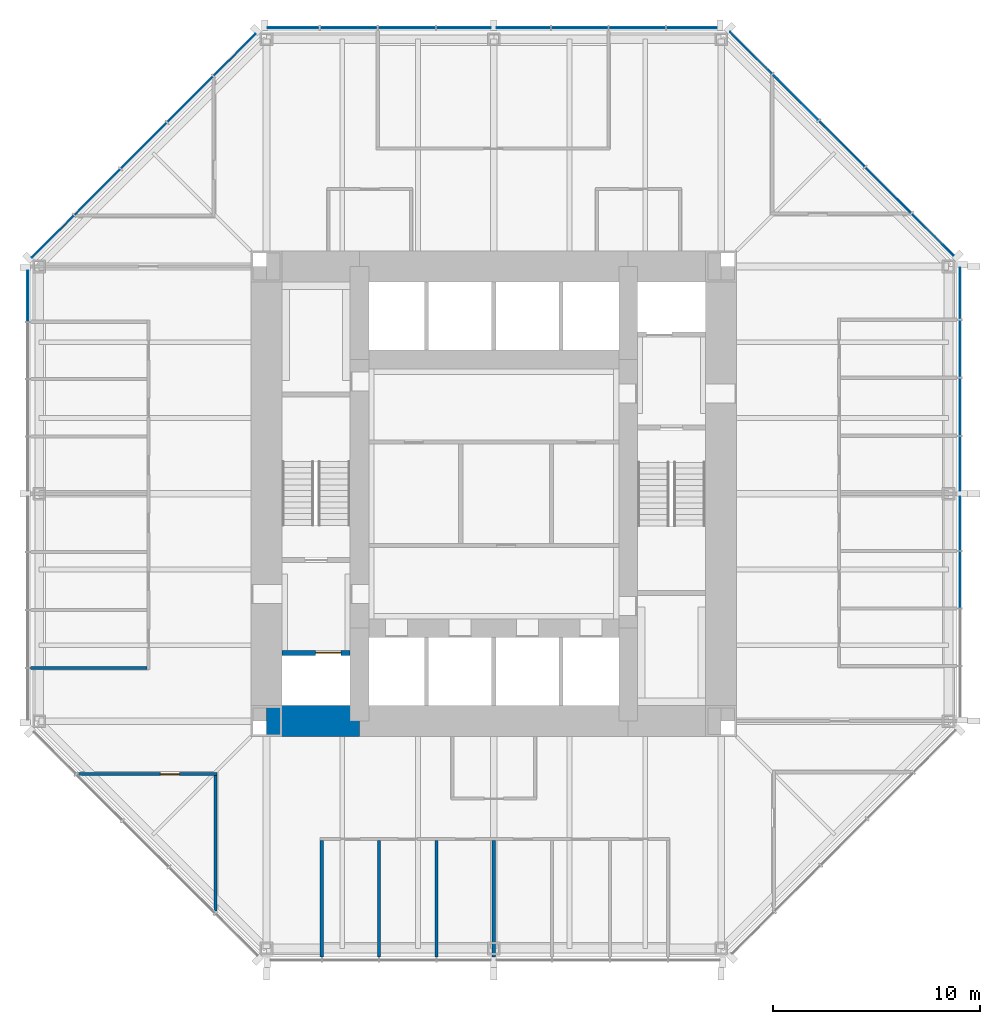
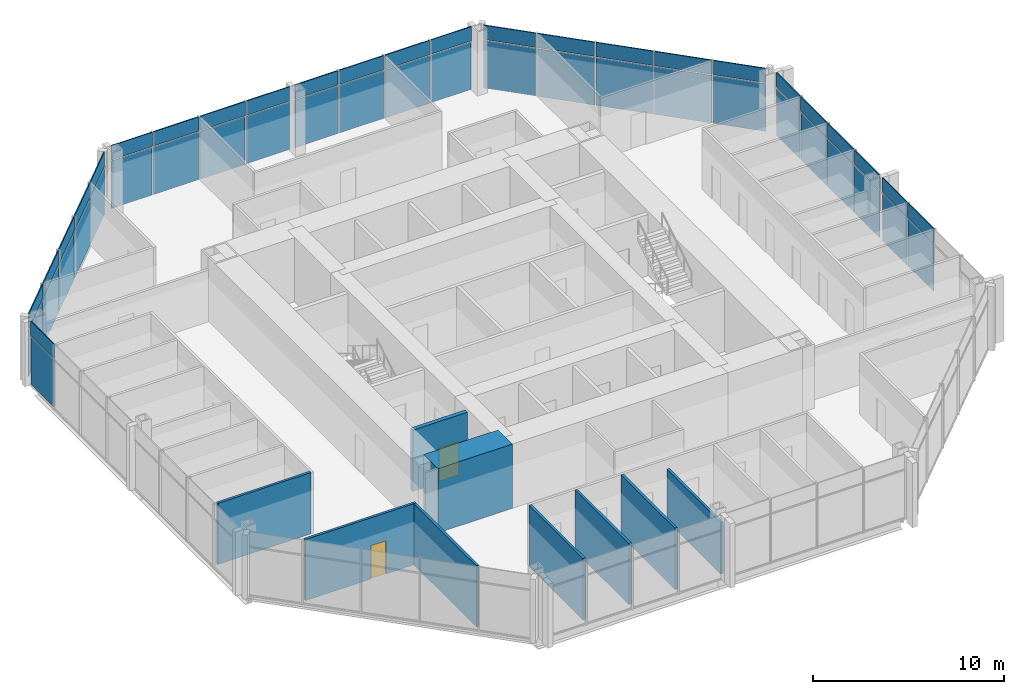
# One storey, part 8 of 12: 50 plates, 9 walls, 2 doors, 2 openings, 5 elements without a shape of their own.
"""IFC4 building model written with IfcOpenShell, lengths in metres."""

from ifc_helpers import new_model, si_unit, direction, frame, frame_2d, origin, origin_2d, place, context, subcontext, project, spatial, rectangle, extrude, material, layer, layer_set, type_object, element, fill, aggregate, save


model = new_model("IFC4")

# Units and contexts
model_context = context("Model", 3, precision=1e-05, world=origin(), true_north=direction((0.0, 1.0)))
body_context = subcontext(model_context, "Body", "Model", "MODEL_VIEW")
ifc_project = project(units=[si_unit("LENGTHUNIT", "METRE"), si_unit("AREAUNIT", "SQUARE_METRE"), si_unit("VOLUMEUNIT", "CUBIC_METRE"), si_unit("PLANEANGLEUNIT", "RADIAN"), si_unit("MASSUNIT", "GRAM", prefix="KILO")], contexts=[model_context])

# Site, building, storey
site_placement = place(None, origin())
site = spatial("IfcSite", under=ifc_project, at=site_placement, CompositionType="ELEMENT")
building_placement = place(site_placement, origin())
building = spatial("IfcBuilding", under=site, at=building_placement, Name="Trevanion Tower", CompositionType="ELEMENT")
storey_placement = place(building_placement, frame((0.0, 0.0, 174.60009765625)))
storey = spatial("IfcBuildingStorey", under=building, at=storey_placement, Name="L41", CompositionType="ELEMENT", Elevation=174.60009765625)

# Curtain wall, plates
ifc_material_1 = material(Name="Aluminium and glass", Category="aluminium")
curtain_wall_type = type_object("IfcCurtainWallType", Name="CW2 curtain wall", PredefinedType="USERDEFINED", material=ifc_material_1)
curtain_wall_1_placement = place(storey_placement, origin())
curtain_wall_1 = element("IfcCurtainWall", 1, at=curtain_wall_1_placement, inside=storey, type_object=curtain_wall_type, Name="CW2 L41 0", ObjectType="UNITISED CURTAIN WALL", PredefinedType="USERDEFINED")
ifc_material_2 = material(Name="Aluminium spandrel panel", Category="aluminium")
ifc_layer_1 = layer(ifc_material_2, 0.06005859375)
ifc_layer_set_1 = layer_set([ifc_layer_1], Name="CW2 spandrel panel")
plate_type_1 = type_object("IfcPlateType", Name="CW2 spandrel panel", PredefinedType="CURTAIN_PANEL", material=ifc_layer_set_1)
plate_1_placement = place(storey_placement, frame((22.550048828125, -4.16162109375, 2.997314453125), z_axis=(0.0, 0.0, 1.0), x_axis=(0.0, 1.0, 0.0)))
plate_1 = element("IfcPlate", 2, at=plate_1_placement, type_object=plate_type_1, Name="CW2 panel 3.2", PredefinedType="CURTAIN_PANEL", context=body_context, shape_type="SweptSolid", body=[
    extrude(rectangle(XDim=2.699462890625, YDim=0.06005859375, at=origin_2d()), origin(), (0.0, 0.0, 1.0), 0.91259765625),
])
plate_2_placement = place(storey_placement, frame((22.550048828125, -1.443603515625, 2.997314453125), z_axis=(0.0, 0.0, 1.0), x_axis=(0.0, 1.0, 0.0)))
plate_2 = element("IfcPlate", 3, at=plate_2_placement, type_object=plate_type_1, Name="CW2 panel 4.2", PredefinedType="CURTAIN_PANEL", context=body_context, shape_type="SweptSolid", body=[
    extrude(rectangle(XDim=2.5869140625, YDim=0.06005859375, at=origin_2d()), origin(), (0.0, 0.0, 1.0), 0.91259765625),
])
plate_3_placement = place(storey_placement, frame((22.550048828125, 1.459716796875, 2.997314453125), z_axis=(0.0, 0.0, 1.0), x_axis=(0.0, 1.0, 0.0)))
plate_3 = element("IfcPlate", 4, at=plate_3_placement, type_object=plate_type_1, Name="CW2 panel 5.2", PredefinedType="CURTAIN_PANEL", context=body_context, shape_type="SweptSolid", body=[
    extrude(rectangle(XDim=2.619384765625, YDim=0.06005859375, at=origin_2d()), origin(), (0.0, 0.0, 1.0), 0.91259765625),
])
plate_4_placement = place(storey_placement, frame((22.550048828125, 4.21044921875, 2.997314453125), z_axis=(0.0, 0.0, 1.0), x_axis=(0.0, 1.0, 0.0)))
plate_4 = element("IfcPlate", 5, at=plate_4_placement, type_object=plate_type_1, Name="CW2 panel 6.2", PredefinedType="CURTAIN_PANEL", context=body_context, shape_type="SweptSolid", body=[
    extrude(rectangle(XDim=2.73193359375, YDim=0.06005859375, at=origin_2d()), origin(), (0.0, 0.0, 1.0), 0.91259765625),
])
plate_5_placement = place(storey_placement, frame((22.550048828125, 7.017333984375, 2.997314453125), z_axis=(0.0, 0.0, 1.0), x_axis=(0.0, 1.0, 0.0)))
plate_5 = element("IfcPlate", 6, at=plate_5_placement, type_object=plate_type_1, Name="CW2 panel 7.2", PredefinedType="CURTAIN_PANEL", context=body_context, shape_type="SweptSolid", body=[
    extrude(rectangle(XDim=2.73193359375, YDim=0.06005859375, at=origin_2d()), origin(), (0.0, 0.0, 1.0), 0.91259765625),
])
plate_6_placement = place(storey_placement, frame((22.550048828125, 9.693115234375, 2.997314453125), z_axis=(0.0, 0.0, 1.0), x_axis=(0.0, 1.0, 0.0)))
plate_6 = element("IfcPlate", 7, at=plate_6_placement, type_object=plate_type_1, Name="CW2 panel 8.2", PredefinedType="CURTAIN_PANEL", context=body_context, shape_type="SweptSolid", body=[
    extrude(rectangle(XDim=2.469482421875, YDim=0.06005859375, at=origin_2d()), origin(), (0.0, 0.0, 1.0), 0.91259765625),
])

curtain_wall_2_placement = place(storey_placement, origin())
curtain_wall_2 = element("IfcCurtainWall", 8, at=curtain_wall_2_placement, inside=storey, type_object=curtain_wall_type, Name="CW2 L41 1", ObjectType="UNITISED CURTAIN WALL", PredefinedType="USERDEFINED")
plate_7_placement = place(storey_placement, frame((21.2421875, 12.53564453125, 2.997314453125), z_axis=(0.0, 0.0, 1.0), x_axis=(-0.707106781187, 0.707106781187, 0.0)))
plate_7 = element("IfcPlate", 9, at=plate_7_placement, type_object=plate_type_1, Name="CW2 panel 1.2", PredefinedType="CURTAIN_PANEL", context=body_context, shape_type="SweptSolid", body=[
    extrude(rectangle(XDim=2.8388671875, YDim=0.06005859375, at=origin_2d()), origin(), (0.0, 0.0, 1.0), 0.91259765625),
])
plate_8_placement = place(storey_placement, frame((19.089111328125, 14.688720703125, 2.997314453125), z_axis=(0.0, 0.0, 1.0), x_axis=(-0.707106781187, 0.707106781187, 0.0)))
plate_8 = element("IfcPlate", 10, at=plate_8_placement, type_object=plate_type_1, Name="CW2 panel 2.2", PredefinedType="CURTAIN_PANEL", context=body_context, shape_type="SweptSolid", body=[
    extrude(rectangle(XDim=3.101318359375, YDim=0.06005859375, at=origin_2d()), origin(), (0.0, 0.0, 1.0), 0.91259765625),
])
plate_9_placement = place(storey_placement, frame((16.843017578125, 16.934814453125, 2.997314453125), z_axis=(0.0, 0.0, 1.0), x_axis=(-0.707106781187, 0.707106781187, 0.0)))
plate_9 = element("IfcPlate", 11, at=plate_9_placement, type_object=plate_type_1, Name="CW2 panel 3.2", PredefinedType="CURTAIN_PANEL", context=body_context, shape_type="SweptSolid", body=[
    extrude(rectangle(XDim=3.101318359375, YDim=0.06005859375, at=origin_2d()), origin(), (0.0, 0.0, 1.0), 0.91259765625),
])
plate_10_placement = place(storey_placement, frame((14.596923828125, 19.180908203125, 2.997314453125), z_axis=(0.0, 0.0, 1.0), x_axis=(-0.707106781187, 0.707106781187, 0.0)))
plate_10 = element("IfcPlate", 12, at=plate_10_placement, type_object=plate_type_1, Name="CW2 panel 4.2", PredefinedType="CURTAIN_PANEL", context=body_context, shape_type="SweptSolid", body=[
    extrude(rectangle(XDim=3.101318359375, YDim=0.06005859375, at=origin_2d()), origin(), (0.0, 0.0, 1.0), 0.91259765625),
])
plate_11_placement = place(storey_placement, frame((12.443603515625, 21.334228515625, 2.997314453125), z_axis=(0.0, 0.0, 1.0), x_axis=(-0.707106781187, 0.707106781187, 0.0)))
plate_11 = element("IfcPlate", 13, at=plate_11_placement, type_object=plate_type_1, Name="CW2 panel 5.2", PredefinedType="CURTAIN_PANEL", context=body_context, shape_type="SweptSolid", body=[
    extrude(rectangle(XDim=2.8388671875, YDim=0.06005859375, at=origin_2d()), origin(), (0.0, 0.0, 1.0), 0.91259765625),
])

curtain_wall_3_placement = place(storey_placement, origin())
curtain_wall_3 = element("IfcCurtainWall", 14, at=curtain_wall_3_placement, inside=storey, type_object=curtain_wall_type, Name="CW2 L41 2", ObjectType="UNITISED CURTAIN WALL", PredefinedType="USERDEFINED")
plate_12_placement = place(storey_placement, frame((9.579345703125, 22.550048828125, 2.997314453125), z_axis=(0.0, 0.0, 1.0), x_axis=(-1.0, 0.0, 0.0)))
plate_12 = element("IfcPlate", 15, at=plate_12_placement, type_object=plate_type_1, Name="CW2 panel 1.2", PredefinedType="CURTAIN_PANEL", context=body_context, shape_type="SweptSolid", body=[
    extrude(rectangle(XDim=2.43701171875, YDim=0.06005859375, at=origin_2d()), origin(), (0.0, 0.0, 1.0), 0.91259765625),
])
plate_13_placement = place(storey_placement, frame((6.93603515625, 22.550048828125, 2.997314453125), z_axis=(0.0, 0.0, 1.0), x_axis=(-1.0, 0.0, 0.0)))
plate_13 = element("IfcPlate", 16, at=plate_13_placement, type_object=plate_type_1, Name="CW2 panel 2.2", PredefinedType="CURTAIN_PANEL", context=body_context, shape_type="SweptSolid", body=[
    extrude(rectangle(XDim=2.699462890625, YDim=0.06005859375, at=origin_2d()), origin(), (0.0, 0.0, 1.0), 0.91259765625),
])
plate_14_placement = place(storey_placement, frame((4.16162109375, 22.550048828125, 2.997314453125), z_axis=(0.0, 0.0, 1.0), x_axis=(-1.0, 0.0, 0.0)))
plate_14 = element("IfcPlate", 17, at=plate_14_placement, type_object=plate_type_1, Name="CW2 panel 3.2", PredefinedType="CURTAIN_PANEL", context=body_context, shape_type="SweptSolid", body=[
    extrude(rectangle(XDim=2.699462890625, YDim=0.06005859375, at=origin_2d()), origin(), (0.0, 0.0, 1.0), 0.91259765625),
])
plate_15_placement = place(storey_placement, frame((1.443603515625, 22.550048828125, 2.997314453125), z_axis=(0.0, 0.0, 1.0), x_axis=(-1.0, 0.0, 0.0)))
plate_15 = element("IfcPlate", 18, at=plate_15_placement, type_object=plate_type_1, Name="CW2 panel 4.2", PredefinedType="CURTAIN_PANEL", context=body_context, shape_type="SweptSolid", body=[
    extrude(rectangle(XDim=2.5869140625, YDim=0.06005859375, at=origin_2d()), origin(), (0.0, 0.0, 1.0), 0.91259765625),
])
plate_16_placement = place(storey_placement, frame((-1.459716796875, 22.550048828125, 2.997314453125), z_axis=(0.0, 0.0, 1.0), x_axis=(-1.0, 0.0, 0.0)))
plate_16 = element("IfcPlate", 19, at=plate_16_placement, type_object=plate_type_1, Name="CW2 panel 5.2", PredefinedType="CURTAIN_PANEL", context=body_context, shape_type="SweptSolid", body=[
    extrude(rectangle(XDim=2.619384765625, YDim=0.06005859375, at=origin_2d()), origin(), (0.0, 0.0, 1.0), 0.91259765625),
])
plate_17_placement = place(storey_placement, frame((-4.21044921875, 22.550048828125, 2.997314453125), z_axis=(0.0, 0.0, 1.0), x_axis=(-1.0, 0.0, 0.0)))
plate_17 = element("IfcPlate", 20, at=plate_17_placement, type_object=plate_type_1, Name="CW2 panel 6.2", PredefinedType="CURTAIN_PANEL", context=body_context, shape_type="SweptSolid", body=[
    extrude(rectangle(XDim=2.73193359375, YDim=0.06005859375, at=origin_2d()), origin(), (0.0, 0.0, 1.0), 0.91259765625),
])
plate_18_placement = place(storey_placement, frame((-7.017333984375, 22.550048828125, 2.997314453125), z_axis=(0.0, 0.0, 1.0), x_axis=(-1.0, 0.0, 0.0)))
plate_18 = element("IfcPlate", 21, at=plate_18_placement, type_object=plate_type_1, Name="CW2 panel 7.2", PredefinedType="CURTAIN_PANEL", context=body_context, shape_type="SweptSolid", body=[
    extrude(rectangle(XDim=2.73193359375, YDim=0.06005859375, at=origin_2d()), origin(), (0.0, 0.0, 1.0), 0.91259765625),
])
plate_19_placement = place(storey_placement, frame((-9.693115234375, 22.550048828125, 2.997314453125), z_axis=(0.0, 0.0, 1.0), x_axis=(-1.0, 0.0, 0.0)))
plate_19 = element("IfcPlate", 22, at=plate_19_placement, type_object=plate_type_1, Name="CW2 panel 8.2", PredefinedType="CURTAIN_PANEL", context=body_context, shape_type="SweptSolid", body=[
    extrude(rectangle(XDim=2.469482421875, YDim=0.06005859375, at=origin_2d()), origin(), (0.0, 0.0, 1.0), 0.91259765625),
])

curtain_wall_4_placement = place(storey_placement, origin())
curtain_wall_4 = element("IfcCurtainWall", 23, at=curtain_wall_4_placement, inside=storey, type_object=curtain_wall_type, Name="CW2 L41 3", ObjectType="UNITISED CURTAIN WALL", PredefinedType="USERDEFINED")
plate_20_placement = place(storey_placement, frame((-12.53564453125, 21.2421875, 2.997314453125), z_axis=(0.0, 0.0, 1.0), x_axis=(-0.707106781187, -0.707106781187, 0.0)))
plate_20 = element("IfcPlate", 24, at=plate_20_placement, type_object=plate_type_1, Name="CW2 panel 1.2", PredefinedType="CURTAIN_PANEL", context=body_context, shape_type="SweptSolid", body=[
    extrude(rectangle(XDim=2.8388671875, YDim=0.06005859375, at=origin_2d()), origin(), (0.0, 0.0, 1.0), 0.91259765625),
])
plate_21_placement = place(storey_placement, frame((-14.688720703125, 19.089111328125, 2.997314453125), z_axis=(0.0, 0.0, 1.0), x_axis=(-0.707106781187, -0.707106781187, 0.0)))
plate_21 = element("IfcPlate", 25, at=plate_21_placement, type_object=plate_type_1, Name="CW2 panel 2.2", PredefinedType="CURTAIN_PANEL", context=body_context, shape_type="SweptSolid", body=[
    extrude(rectangle(XDim=3.101318359375, YDim=0.06005859375, at=origin_2d()), origin(), (0.0, 0.0, 1.0), 0.91259765625),
])
plate_22_placement = place(storey_placement, frame((-16.934814453125, 16.843017578125, 2.997314453125), z_axis=(0.0, 0.0, 1.0), x_axis=(-0.707106781187, -0.707106781187, 0.0)))
plate_22 = element("IfcPlate", 26, at=plate_22_placement, type_object=plate_type_1, Name="CW2 panel 3.2", PredefinedType="CURTAIN_PANEL", context=body_context, shape_type="SweptSolid", body=[
    extrude(rectangle(XDim=3.101318359375, YDim=0.06005859375, at=origin_2d()), origin(), (0.0, 0.0, 1.0), 0.91259765625),
])
plate_23_placement = place(storey_placement, frame((-19.180908203125, 14.596923828125, 2.997314453125), z_axis=(0.0, 0.0, 1.0), x_axis=(-0.707106781187, -0.707106781187, 0.0)))
plate_23 = element("IfcPlate", 27, at=plate_23_placement, type_object=plate_type_1, Name="CW2 panel 4.2", PredefinedType="CURTAIN_PANEL", context=body_context, shape_type="SweptSolid", body=[
    extrude(rectangle(XDim=3.101318359375, YDim=0.06005859375, at=origin_2d()), origin(), (0.0, 0.0, 1.0), 0.91259765625),
])
plate_24_placement = place(storey_placement, frame((-21.334228515625, 12.443603515625, 2.997314453125), z_axis=(0.0, 0.0, 1.0), x_axis=(-0.707106781187, -0.707106781187, 0.0)))
plate_24 = element("IfcPlate", 28, at=plate_24_placement, type_object=plate_type_1, Name="CW2 panel 5.2", PredefinedType="CURTAIN_PANEL", context=body_context, shape_type="SweptSolid", body=[
    extrude(rectangle(XDim=2.8388671875, YDim=0.06005859375, at=origin_2d()), origin(), (0.0, 0.0, 1.0), 0.91259765625),
])

# Curtain wall, plate
curtain_wall_5_placement = place(storey_placement, origin())
curtain_wall_5 = element("IfcCurtainWall", 29, at=curtain_wall_5_placement, inside=storey, type_object=curtain_wall_type, Name="CW2 L41 4", ObjectType="UNITISED CURTAIN WALL", PredefinedType="USERDEFINED")
plate_25_placement = place(storey_placement, frame((-22.550048828125, 9.579345703125, 2.997314453125), z_axis=(0.0, 0.0, 1.0), x_axis=(0.0, -1.0, 0.0)))
plate_25 = element("IfcPlate", 30, at=plate_25_placement, type_object=plate_type_1, Name="CW2 panel 1.2", PredefinedType="CURTAIN_PANEL", context=body_context, shape_type="SweptSolid", body=[
    extrude(rectangle(XDim=2.43701171875, YDim=0.06005859375, at=origin_2d()), origin(), (0.0, 0.0, 1.0), 0.91259765625),
])

# Plate
ifc_material_3 = material(Name="Insulating glass unit", Category="glass")
ifc_layer_2 = layer(ifc_material_3, 0.028076171875)
ifc_layer_set_2 = layer_set([ifc_layer_2], Name="CW2 vision panel")
plate_type_2 = type_object("IfcPlateType", Name="CW2 vision panel", PredefinedType="CURTAIN_PANEL", material=ifc_layer_set_2)
plate_26_placement = place(storey_placement, frame((22.550048828125, -4.16162109375, -0.115234375), z_axis=(0.0, 0.0, 1.0), x_axis=(0.0, 1.0, 0.0)))
plate_26 = element("IfcPlate", 31, at=plate_26_placement, type_object=plate_type_2, Name="CW2 panel 3.1", PredefinedType="CURTAIN_PANEL", context=body_context, shape_type="SweptSolid", body=[
    extrude(rectangle(XDim=2.699462890625, YDim=0.028076171875, at=origin_2d()), origin(), (0.0, 0.0, 1.0), 3.03759765625),
])

plate_27_placement = place(storey_placement, frame((22.550048828125, -1.443603515625, -0.115234375), z_axis=(0.0, 0.0, 1.0), x_axis=(0.0, 1.0, 0.0)))
plate_27 = element("IfcPlate", 32, at=plate_27_placement, type_object=plate_type_2, Name="CW2 panel 4.1", PredefinedType="CURTAIN_PANEL", context=body_context, shape_type="SweptSolid", body=[
    extrude(rectangle(XDim=2.5869140625, YDim=0.028076171875, at=origin_2d()), origin(), (0.0, 0.0, 1.0), 3.03759765625),
])

plate_28_placement = place(storey_placement, frame((22.550048828125, 1.459716796875, -0.115234375), z_axis=(0.0, 0.0, 1.0), x_axis=(0.0, 1.0, 0.0)))
plate_28 = element("IfcPlate", 33, at=plate_28_placement, type_object=plate_type_2, Name="CW2 panel 5.1", PredefinedType="CURTAIN_PANEL", context=body_context, shape_type="SweptSolid", body=[
    extrude(rectangle(XDim=2.619384765625, YDim=0.028076171875, at=origin_2d()), origin(), (0.0, 0.0, 1.0), 3.03759765625),
])

plate_29_placement = place(storey_placement, frame((22.550048828125, 4.21044921875, -0.115234375), z_axis=(0.0, 0.0, 1.0), x_axis=(0.0, 1.0, 0.0)))
plate_29 = element("IfcPlate", 34, at=plate_29_placement, type_object=plate_type_2, Name="CW2 panel 6.1", PredefinedType="CURTAIN_PANEL", context=body_context, shape_type="SweptSolid", body=[
    extrude(rectangle(XDim=2.73193359375, YDim=0.028076171875, at=origin_2d()), origin(), (0.0, 0.0, 1.0), 3.03759765625),
])

plate_30_placement = place(storey_placement, frame((22.550048828125, 7.017333984375, -0.115234375), z_axis=(0.0, 0.0, 1.0), x_axis=(0.0, 1.0, 0.0)))
plate_30 = element("IfcPlate", 35, at=plate_30_placement, type_object=plate_type_2, Name="CW2 panel 7.1", PredefinedType="CURTAIN_PANEL", context=body_context, shape_type="SweptSolid", body=[
    extrude(rectangle(XDim=2.73193359375, YDim=0.028076171875, at=origin_2d()), origin(), (0.0, 0.0, 1.0), 3.03759765625),
])

plate_31_placement = place(storey_placement, frame((22.550048828125, 9.693115234375, -0.115234375), z_axis=(0.0, 0.0, 1.0), x_axis=(0.0, 1.0, 0.0)))
plate_31 = element("IfcPlate", 36, at=plate_31_placement, type_object=plate_type_2, Name="CW2 panel 8.1", PredefinedType="CURTAIN_PANEL", context=body_context, shape_type="SweptSolid", body=[
    extrude(rectangle(XDim=2.469482421875, YDim=0.028076171875, at=origin_2d()), origin(), (0.0, 0.0, 1.0), 3.03759765625),
])

aggregate(curtain_wall_1, [plate_26, plate_1, plate_27, plate_2, plate_28, plate_3, plate_29, plate_4, plate_30, plate_5, plate_31, plate_6])

plate_32_placement = place(storey_placement, frame((21.2421875, 12.53564453125, -0.115234375), z_axis=(0.0, 0.0, 1.0), x_axis=(-0.707106781187, 0.707106781187, 0.0)))
plate_32 = element("IfcPlate", 37, at=plate_32_placement, type_object=plate_type_2, Name="CW2 panel 1.1", PredefinedType="CURTAIN_PANEL", context=body_context, shape_type="SweptSolid", body=[
    extrude(rectangle(XDim=2.8388671875, YDim=0.028076171875, at=origin_2d()), origin(), (0.0, 0.0, 1.0), 3.03759765625),
])

plate_33_placement = place(storey_placement, frame((19.089111328125, 14.688720703125, -0.115234375), z_axis=(0.0, 0.0, 1.0), x_axis=(-0.707106781187, 0.707106781187, 0.0)))
plate_33 = element("IfcPlate", 38, at=plate_33_placement, type_object=plate_type_2, Name="CW2 panel 2.1", PredefinedType="CURTAIN_PANEL", context=body_context, shape_type="SweptSolid", body=[
    extrude(rectangle(XDim=3.101318359375, YDim=0.028076171875, at=origin_2d()), origin(), (0.0, 0.0, 1.0), 3.03759765625),
])

plate_34_placement = place(storey_placement, frame((16.843017578125, 16.934814453125, -0.115234375), z_axis=(0.0, 0.0, 1.0), x_axis=(-0.707106781187, 0.707106781187, 0.0)))
plate_34 = element("IfcPlate", 39, at=plate_34_placement, type_object=plate_type_2, Name="CW2 panel 3.1", PredefinedType="CURTAIN_PANEL", context=body_context, shape_type="SweptSolid", body=[
    extrude(rectangle(XDim=3.101318359375, YDim=0.028076171875, at=origin_2d()), origin(), (0.0, 0.0, 1.0), 3.03759765625),
])

plate_35_placement = place(storey_placement, frame((14.596923828125, 19.180908203125, -0.115234375), z_axis=(0.0, 0.0, 1.0), x_axis=(-0.707106781187, 0.707106781187, 0.0)))
plate_35 = element("IfcPlate", 40, at=plate_35_placement, type_object=plate_type_2, Name="CW2 panel 4.1", PredefinedType="CURTAIN_PANEL", context=body_context, shape_type="SweptSolid", body=[
    extrude(rectangle(XDim=3.101318359375, YDim=0.028076171875, at=origin_2d()), origin(), (0.0, 0.0, 1.0), 3.03759765625),
])

plate_36_placement = place(storey_placement, frame((12.443603515625, 21.334228515625, -0.115234375), z_axis=(0.0, 0.0, 1.0), x_axis=(-0.707106781187, 0.707106781187, 0.0)))
plate_36 = element("IfcPlate", 41, at=plate_36_placement, type_object=plate_type_2, Name="CW2 panel 5.1", PredefinedType="CURTAIN_PANEL", context=body_context, shape_type="SweptSolid", body=[
    extrude(rectangle(XDim=2.8388671875, YDim=0.028076171875, at=origin_2d()), origin(), (0.0, 0.0, 1.0), 3.03759765625),
])

aggregate(curtain_wall_2, [plate_32, plate_7, plate_33, plate_8, plate_34, plate_9, plate_35, plate_10, plate_36, plate_11])

plate_37_placement = place(storey_placement, frame((9.579345703125, 22.550048828125, -0.115234375), z_axis=(0.0, 0.0, 1.0), x_axis=(-1.0, 0.0, 0.0)))
plate_37 = element("IfcPlate", 42, at=plate_37_placement, type_object=plate_type_2, Name="CW2 panel 1.1", PredefinedType="CURTAIN_PANEL", context=body_context, shape_type="SweptSolid", body=[
    extrude(rectangle(XDim=2.43701171875, YDim=0.028076171875, at=origin_2d()), origin(), (0.0, 0.0, 1.0), 3.03759765625),
])

plate_38_placement = place(storey_placement, frame((6.93603515625, 22.550048828125, -0.115234375), z_axis=(0.0, 0.0, 1.0), x_axis=(-1.0, 0.0, 0.0)))
plate_38 = element("IfcPlate", 43, at=plate_38_placement, type_object=plate_type_2, Name="CW2 panel 2.1", PredefinedType="CURTAIN_PANEL", context=body_context, shape_type="SweptSolid", body=[
    extrude(rectangle(XDim=2.699462890625, YDim=0.028076171875, at=origin_2d()), origin(), (0.0, 0.0, 1.0), 3.03759765625),
])

plate_39_placement = place(storey_placement, frame((4.16162109375, 22.550048828125, -0.115234375), z_axis=(0.0, 0.0, 1.0), x_axis=(-1.0, 0.0, 0.0)))
plate_39 = element("IfcPlate", 44, at=plate_39_placement, type_object=plate_type_2, Name="CW2 panel 3.1", PredefinedType="CURTAIN_PANEL", context=body_context, shape_type="SweptSolid", body=[
    extrude(rectangle(XDim=2.699462890625, YDim=0.028076171875, at=origin_2d()), origin(), (0.0, 0.0, 1.0), 3.03759765625),
])

plate_40_placement = place(storey_placement, frame((1.443603515625, 22.550048828125, -0.115234375), z_axis=(0.0, 0.0, 1.0), x_axis=(-1.0, 0.0, 0.0)))
plate_40 = element("IfcPlate", 45, at=plate_40_placement, type_object=plate_type_2, Name="CW2 panel 4.1", PredefinedType="CURTAIN_PANEL", context=body_context, shape_type="SweptSolid", body=[
    extrude(rectangle(XDim=2.5869140625, YDim=0.028076171875, at=origin_2d()), origin(), (0.0, 0.0, 1.0), 3.03759765625),
])

plate_41_placement = place(storey_placement, frame((-1.459716796875, 22.550048828125, -0.115234375), z_axis=(0.0, 0.0, 1.0), x_axis=(-1.0, 0.0, 0.0)))
plate_41 = element("IfcPlate", 46, at=plate_41_placement, type_object=plate_type_2, Name="CW2 panel 5.1", PredefinedType="CURTAIN_PANEL", context=body_context, shape_type="SweptSolid", body=[
    extrude(rectangle(XDim=2.619384765625, YDim=0.028076171875, at=origin_2d()), origin(), (0.0, 0.0, 1.0), 3.03759765625),
])

plate_42_placement = place(storey_placement, frame((-4.21044921875, 22.550048828125, -0.115234375), z_axis=(0.0, 0.0, 1.0), x_axis=(-1.0, 0.0, 0.0)))
plate_42 = element("IfcPlate", 47, at=plate_42_placement, type_object=plate_type_2, Name="CW2 panel 6.1", PredefinedType="CURTAIN_PANEL", context=body_context, shape_type="SweptSolid", body=[
    extrude(rectangle(XDim=2.73193359375, YDim=0.028076171875, at=origin_2d()), origin(), (0.0, 0.0, 1.0), 3.03759765625),
])

plate_43_placement = place(storey_placement, frame((-7.017333984375, 22.550048828125, -0.115234375), z_axis=(0.0, 0.0, 1.0), x_axis=(-1.0, 0.0, 0.0)))
plate_43 = element("IfcPlate", 48, at=plate_43_placement, type_object=plate_type_2, Name="CW2 panel 7.1", PredefinedType="CURTAIN_PANEL", context=body_context, shape_type="SweptSolid", body=[
    extrude(rectangle(XDim=2.73193359375, YDim=0.028076171875, at=origin_2d()), origin(), (0.0, 0.0, 1.0), 3.03759765625),
])

plate_44_placement = place(storey_placement, frame((-9.693115234375, 22.550048828125, -0.115234375), z_axis=(0.0, 0.0, 1.0), x_axis=(-1.0, 0.0, 0.0)))
plate_44 = element("IfcPlate", 49, at=plate_44_placement, type_object=plate_type_2, Name="CW2 panel 8.1", PredefinedType="CURTAIN_PANEL", context=body_context, shape_type="SweptSolid", body=[
    extrude(rectangle(XDim=2.469482421875, YDim=0.028076171875, at=origin_2d()), origin(), (0.0, 0.0, 1.0), 3.03759765625),
])

aggregate(curtain_wall_3, [plate_37, plate_12, plate_38, plate_13, plate_39, plate_14, plate_40, plate_15, plate_41, plate_16, plate_42, plate_17, plate_43, plate_18, plate_44, plate_19])

plate_45_placement = place(storey_placement, frame((-12.53564453125, 21.2421875, -0.115234375), z_axis=(0.0, 0.0, 1.0), x_axis=(-0.707106781187, -0.707106781187, 0.0)))
plate_45 = element("IfcPlate", 50, at=plate_45_placement, type_object=plate_type_2, Name="CW2 panel 1.1", PredefinedType="CURTAIN_PANEL", context=body_context, shape_type="SweptSolid", body=[
    extrude(rectangle(XDim=2.8388671875, YDim=0.028076171875, at=origin_2d()), origin(), (0.0, 0.0, 1.0), 3.03759765625),
])

plate_46_placement = place(storey_placement, frame((-14.688720703125, 19.089111328125, -0.115234375), z_axis=(0.0, 0.0, 1.0), x_axis=(-0.707106781187, -0.707106781187, 0.0)))
plate_46 = element("IfcPlate", 51, at=plate_46_placement, type_object=plate_type_2, Name="CW2 panel 2.1", PredefinedType="CURTAIN_PANEL", context=body_context, shape_type="SweptSolid", body=[
    extrude(rectangle(XDim=3.101318359375, YDim=0.028076171875, at=origin_2d()), origin(), (0.0, 0.0, 1.0), 3.03759765625),
])

plate_47_placement = place(storey_placement, frame((-16.934814453125, 16.843017578125, -0.115234375), z_axis=(0.0, 0.0, 1.0), x_axis=(-0.707106781187, -0.707106781187, 0.0)))
plate_47 = element("IfcPlate", 52, at=plate_47_placement, type_object=plate_type_2, Name="CW2 panel 3.1", PredefinedType="CURTAIN_PANEL", context=body_context, shape_type="SweptSolid", body=[
    extrude(rectangle(XDim=3.101318359375, YDim=0.028076171875, at=origin_2d()), origin(), (0.0, 0.0, 1.0), 3.03759765625),
])

plate_48_placement = place(storey_placement, frame((-19.180908203125, 14.596923828125, -0.115234375), z_axis=(0.0, 0.0, 1.0), x_axis=(-0.707106781187, -0.707106781187, 0.0)))
plate_48 = element("IfcPlate", 53, at=plate_48_placement, type_object=plate_type_2, Name="CW2 panel 4.1", PredefinedType="CURTAIN_PANEL", context=body_context, shape_type="SweptSolid", body=[
    extrude(rectangle(XDim=3.101318359375, YDim=0.028076171875, at=origin_2d()), origin(), (0.0, 0.0, 1.0), 3.03759765625),
])

plate_49_placement = place(storey_placement, frame((-21.334228515625, 12.443603515625, -0.115234375), z_axis=(0.0, 0.0, 1.0), x_axis=(-0.707106781187, -0.707106781187, 0.0)))
plate_49 = element("IfcPlate", 54, at=plate_49_placement, type_object=plate_type_2, Name="CW2 panel 5.1", PredefinedType="CURTAIN_PANEL", context=body_context, shape_type="SweptSolid", body=[
    extrude(rectangle(XDim=2.8388671875, YDim=0.028076171875, at=origin_2d()), origin(), (0.0, 0.0, 1.0), 3.03759765625),
])

aggregate(curtain_wall_4, [plate_45, plate_20, plate_46, plate_21, plate_47, plate_22, plate_48, plate_23, plate_49, plate_24])

plate_50_placement = place(storey_placement, frame((-22.550048828125, 9.579345703125, -0.115234375), z_axis=(0.0, 0.0, 1.0), x_axis=(0.0, -1.0, 0.0)))
plate_50 = element("IfcPlate", 55, at=plate_50_placement, type_object=plate_type_2, Name="CW2 panel 1.1", PredefinedType="CURTAIN_PANEL", context=body_context, shape_type="SweptSolid", body=[
    extrude(rectangle(XDim=2.43701171875, YDim=0.028076171875, at=origin_2d()), origin(), (0.0, 0.0, 1.0), 3.03759765625),
])

aggregate(curtain_wall_5, [plate_50, plate_25])

# Wall
ifc_material_4 = material(Name="Concrete 10,000 psi", Category="concrete")
ifc_layer_3 = layer(ifc_material_4, 1.5)
ifc_layer_set_3 = layer_set([ifc_layer_3], Name="CW1 core wall 1500")
wall_type_1 = type_object("IfcWallType", Name="CW1 core wall 1500", PredefinedType="SHEAR", material=ifc_layer_set_3)
wall_1_placement = place(storey_placement, frame((-11.0, -11.0, 0.0), z_axis=(0.0, 0.0, 1.0), x_axis=(1.0, 0.0, 0.0)))
element("IfcWall", 56, at=wall_1_placement, inside=storey, type_object=wall_type_1, Name="CW1 CS1 L41", PredefinedType="SHEAR", context=body_context, shape_type="SweptSolid", body=[
    extrude(rectangle(XDim=4.5, YDim=1.5, at=frame_2d((2.25, 0.0))), origin(), (0.0, 0.0, 1.0), 4.099853515625),
])

# Wall, opening, door
ifc_material_5 = material(Name="Gypsum board on steel studs", Category="steel")
ifc_layer_4 = layer(ifc_material_5, 0.14990234375)
ifc_layer_set_4 = layer_set([ifc_layer_4], Name="PT1 partition 150")
wall_type_2 = type_object("IfcWallType", Name="PT1 partition 150", PredefinedType="PARTITIONING", material=ifc_layer_set_4)
wall_2_placement = place(storey_placement, frame((-13.39892578125, -13.56591796875, 0.0), z_axis=(0.0, 0.0, 1.0), x_axis=(-1.0, 0.0, 0.0)))
wall_2 = element("IfcWall", 57, at=wall_2_placement, inside=storey, type_object=wall_type_2, Name="PT1 L41 KW2a", PredefinedType="PARTITIONING", context=body_context, shape_type="SweptSolid", body=[
    extrude(rectangle(XDim=6.697998046875, YDim=0.14990234375, at=frame_2d((3.34912109375, 0.0))), origin(), (0.0, 0.0, 1.0), 3.909912109375),
])
opening_1_placement = place(wall_2_placement, frame((1.8173828125, 0.0, 0.0)))
opening_1 = element("IfcOpeningElement", 58, at=opening_1_placement, cuts=wall_2, Name="Opening 41-022", PredefinedType="OPENING", context=body_context, shape_type="SweptSolid", body=[
    extrude(rectangle(XDim=0.9150390625, YDim=2.134033203125, at=frame_2d((0.45751953125, 1.06689453125))), frame((0.0, 0.0849609375, 0.0), z_axis=(0.0, -1.0, 0.0), x_axis=(1.0, 0.0, 0.0)), (0.0, 0.0, 1.0), 0.169921875),
])
ifc_material_6 = material(Name="Timber veneer, solid core", Category="wood")
door_type_1 = type_object("IfcDoorType", Name="D1 office and meeting room door", OperationType="SINGLE_SWING_LEFT", PredefinedType="DOOR", material=ifc_material_6)
door_1_placement = place(opening_1_placement, origin())
door_1 = element("IfcDoor", 59, at=door_1_placement, inside=storey, type_object=door_type_1, Name="Door 41-022", OperationType="SINGLE_SWING_LEFT", OverallHeight=2.134033203125, OverallWidth=0.9150390625, PredefinedType="DOOR", context=body_context, shape_type="SweptSolid", body=[
    extrude(rectangle(XDim=0.9150390625, YDim=2.134033203125, at=frame_2d((0.45751953125, 1.06689453125))), frame((0.0, 0.02490234375, 0.0), z_axis=(0.0, -1.0, 0.0), x_axis=(1.0, 0.0, 0.0)), (0.0, 0.0, 1.0), 0.050048828125),
])
fill(opening_1, door_1)

# Walls
wall_3_placement = place(storey_placement, frame((-13.47412109375, -13.64111328125, 0.0), z_axis=(0.0, 0.0, 1.0), x_axis=(0.0, -1.0, 0.0)))
element("IfcWall", 60, at=wall_3_placement, inside=storey, type_object=wall_type_2, Name="PT1 L41 KW2b", PredefinedType="PARTITIONING", context=body_context, shape_type="SweptSolid", body=[
    extrude(rectangle(XDim=6.5478515625, YDim=0.14990234375, at=frame_2d((3.27392578125, 0.0))), origin(), (0.0, 0.0, 1.0), 3.909912109375),
])
for number, where, z_axis, x_axis, name in (
    (61, (-16.77490234375, -8.4208984375, 0.0), (0.0, 0.0, 1.0), (-1.0, 0.0, 0.0), "PT1 L41 FC2S6"),
    (62, (-8.322998046875, -16.77490234375, 0.0), (0.0, 0.0, 1.0), (0.0, -1.0, 0.0), "PT1 L41 FC3S0"),
    (63, (-5.549072265625, -16.77490234375, 0.0), (0.0, 0.0, 1.0), (0.0, -1.0, 0.0), "PT1 L41 FC3S1"),
    (64, (-2.77490234375, -16.77490234375, 0.0), (0.0, 0.0, 1.0), (0.0, -1.0, 0.0), "PT1 L41 FC3S2"),
):
    element("IfcWall", number, at=place(storey_placement, frame(where, z_axis=z_axis, x_axis=x_axis)), inside=storey, type_object=wall_type_2, Name=name, PredefinedType="PARTITIONING", context=body_context, shape_type="SweptSolid", body=[
        extrude(rectangle(XDim=5.64013671875, YDim=0.14990234375, at=frame_2d((2.820068359375, 0.0))), origin(), (0.0, 0.0, 1.0), 3.909912109375),
    ])
wall_4_placement = place(storey_placement, frame((0.0, -16.77490234375, 0.0), z_axis=(0.0, 0.0, 1.0), x_axis=(0.0, -1.0, 0.0)))
element("IfcWall", 65, at=wall_4_placement, inside=storey, type_object=wall_type_2, Name="PT1 L41 FC3S3", PredefinedType="PARTITIONING", context=body_context, shape_type="SweptSolid", body=[
    extrude(rectangle(XDim=5.64013671875, YDim=0.14990234375, at=frame_2d((2.820068359375, 0.0))), origin(), (0.0, 0.0, 1.0), 3.30029296875),
])

# Wall, opening, door
ifc_material_7 = material(Name="Concrete masonry, grouted, two-hour", Category="masonry")
ifc_layer_5 = layer(ifc_material_7, 0.25)
ifc_layer_set_5 = layer_set([ifc_layer_5], Name="PT3 partition 250 2 HR")
wall_type_3 = type_object("IfcWallType", Name="PT3 partition 250 2 HR", PredefinedType="PARTITIONING", material=ifc_layer_set_5)
wall_5_placement = place(storey_placement, frame((-6.949951171875, -7.699951171875, 0.0), z_axis=(0.0, 0.0, 1.0), x_axis=(-1.0, 0.0, 0.0)))
wall_5 = element("IfcWall", 66, at=wall_5_placement, inside=storey, type_object=wall_type_3, Name="PT3 L41 WP3", PredefinedType="PARTITIONING", context=body_context, shape_type="SweptSolid", body=[
    extrude(rectangle(XDim=3.300048828125, YDim=0.25, at=frame_2d((1.64990234375, 0.0))), origin(), (0.0, 0.0, 1.0), 3.909912109375),
])
opening_2_placement = place(wall_5_placement, frame((0.449951171875, 0.0, 0.0)))
opening_2 = element("IfcOpeningElement", 67, at=opening_2_placement, cuts=wall_5, Name="Opening 41-008", PredefinedType="OPENING", context=body_context, shape_type="SweptSolid", body=[
    extrude(rectangle(XDim=1.218994140625, YDim=2.134033203125, at=frame_2d((0.609375, 1.06689453125))), frame((0.0, 0.135009765625, 0.0), z_axis=(0.0, -1.0, 0.0), x_axis=(1.0, 0.0, 0.0)), (0.0, 0.0, 1.0), 0.27001953125),
])
ifc_material_8 = material(Name="Stainless steel, fire rated", Category="steel")
door_type_2 = type_object("IfcDoorType", Name="LD2 fire service lift landing door", OperationType="SLIDING_TO_LEFT", PredefinedType="DOOR", material=ifc_material_8)
door_2_placement = place(opening_2_placement, origin())
door_2 = element("IfcDoor", 68, at=door_2_placement, inside=storey, type_object=door_type_2, Name="Door 41-008", OperationType="SLIDING_TO_LEFT", OverallHeight=2.134033203125, OverallWidth=1.218994140625, PredefinedType="DOOR", context=body_context, shape_type="SweptSolid", body=[
    extrude(rectangle(XDim=1.218994140625, YDim=2.134033203125, at=frame_2d((0.609375, 1.06689453125))), frame((0.0, 0.02490234375, 0.0), z_axis=(0.0, -1.0, 0.0), x_axis=(1.0, 0.0, 0.0)), (0.0, 0.0, 1.0), 0.050048828125),
])
fill(opening_2, door_2)

save(model, "model.ifc")
